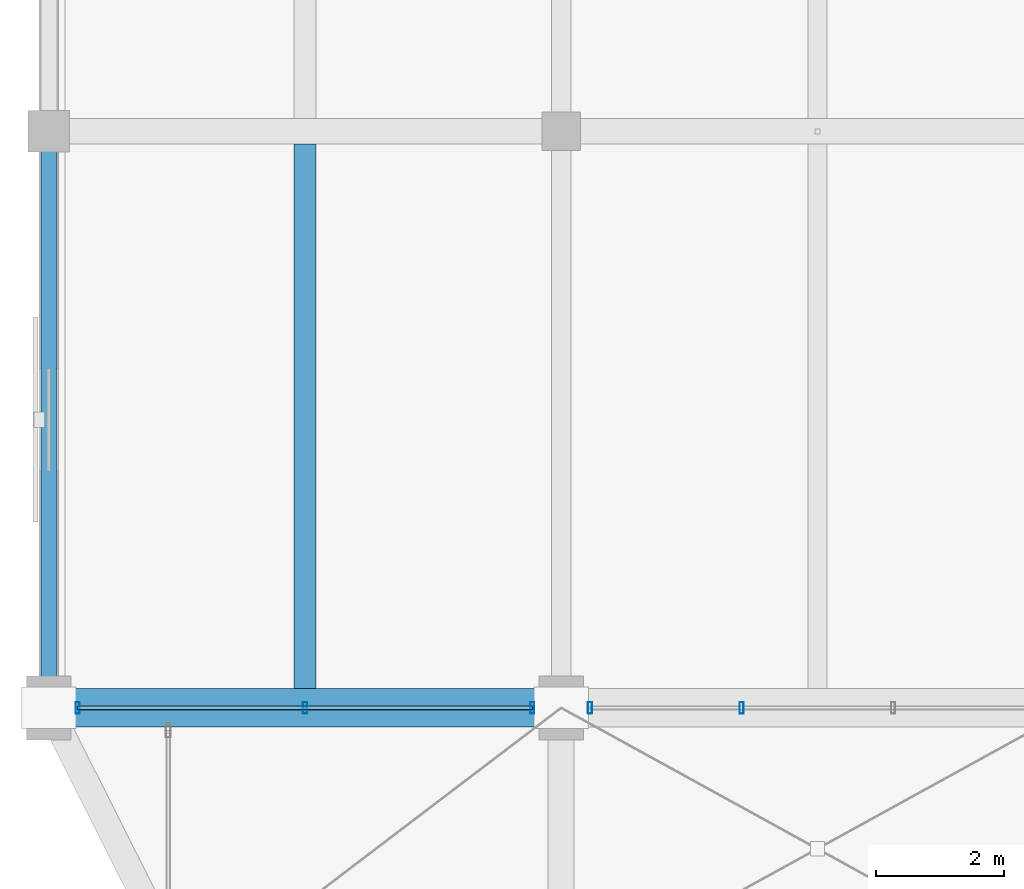
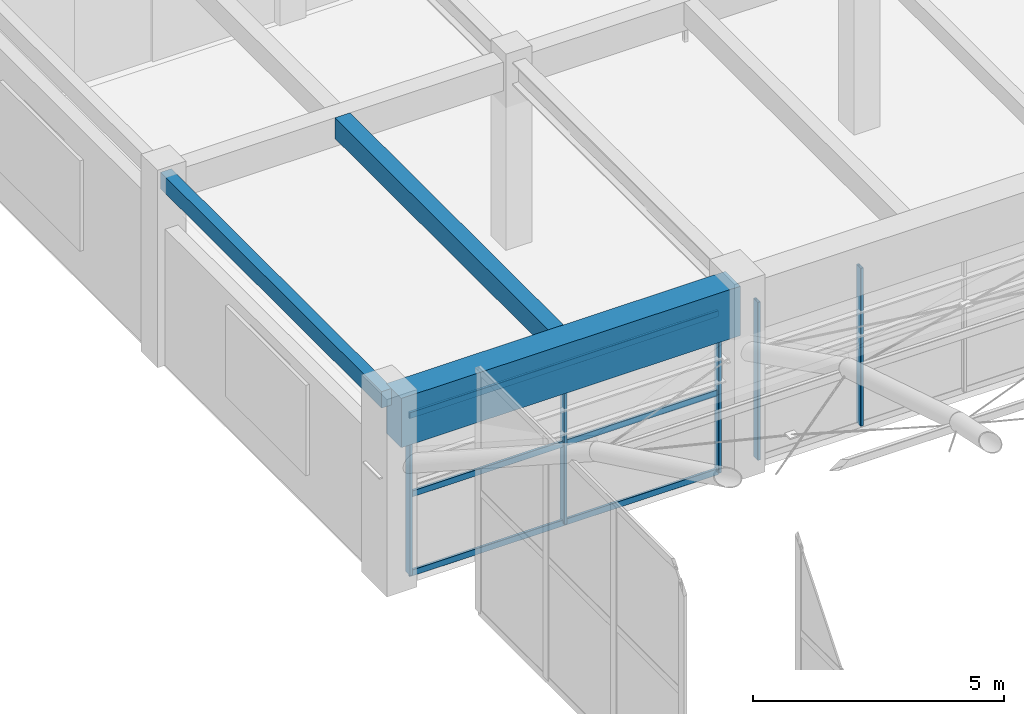
# One storey, part 34 of 144: 8 members, 3 beams, 2 elements without a shape of their own.
"""IFC4 building model written with IfcOpenShell, lengths in metres."""

from ifc_helpers import new_model, si_unit, direction, frame, origin, origin_2d, place, context, subcontext, project, spatial, rectangle, hollow_rectangle, extrude, material, material_profile, profile_set, type_object, element, aggregate, save


model = new_model("IFC4")

# Units and contexts
model_context = context("Model", 3, precision=1e-05, world=origin(), true_north=direction((0.0, 1.0)))
body_context = subcontext(model_context, "Body", "Model", "MODEL_VIEW")
ifc_project = project(units=[si_unit("LENGTHUNIT", "METRE"), si_unit("AREAUNIT", "SQUARE_METRE"), si_unit("VOLUMEUNIT", "CUBIC_METRE"), si_unit("PLANEANGLEUNIT", "RADIAN"), si_unit("MASSUNIT", "GRAM", prefix="KILO")], contexts=[model_context])

# Site, building, storey
site_placement = place(None, origin())
site = spatial("IfcSite", under=ifc_project, at=site_placement, CompositionType="ELEMENT")
building_placement = place(site_placement, origin())
building = spatial("IfcBuilding", under=site, at=building_placement, Name="Varnabhumi Central Station", CompositionType="ELEMENT")
storey_placement = place(building_placement, frame((0.0, 0.0, 4.800048828125)))
storey = spatial("IfcBuildingStorey", under=building, at=storey_placement, Name="L01", CompositionType="ELEMENT", Elevation=4.800048828125)

# Beams
ifc_material_1 = material(Name="Concrete M50", Category="concrete")
ifc_material_profile_1 = material_profile(ifc_material_1, rectangle(XDim=0.60009765625, YDim=1.199951171875, at=origin_2d()), Name="Concrete M50", Category="concrete")
ifc_profile_set_1 = profile_set([ifc_material_profile_1], Name="Concrete M50")
beam_type_1 = type_object("IfcBeamType", Name="BM-RC-1200x600", PredefinedType="BEAM", material=ifc_profile_set_1)
beam_1_placement = place(storey_placement, frame((0.10009765625, 80.0, 3.949951171875), z_axis=(1.0, 0.0, 0.0), x_axis=(0.0, 1.0, 0.0)))
element("IfcBeam", 1, at=beam_1_placement, inside=storey, type_object=beam_type_1, Name="Beam L01-K:1-2", PredefinedType="BEAM", context=body_context, shape_type="SweptSolid", body=[
    extrude(rectangle(XDim=0.60009765625, YDim=1.199951171875, at=origin_2d()), origin(), (0.0, 0.0, 1.0), 7.7998046875),
])
ifc_material_2 = material(Name="Concrete M35", Category="concrete")
ifc_material_profile_2 = material_profile(ifc_material_2, rectangle(XDim=0.25, YDim=0.39990234375, at=origin_2d()), Name="Concrete M35", Category="concrete")
ifc_profile_set_2 = profile_set([ifc_material_profile_2], Name="Concrete M35")
beam_type_2 = type_object("IfcBeamType", Name="BM-RC-250x400", PredefinedType="LINTEL", material=ifc_profile_set_2)
beam_2_placement = place(storey_placement, frame((0.0, 80.10009765625, 4.349853515625), z_axis=(0.0, 1.0, 0.0), x_axis=(-1.0, 0.0, 0.0)))
element("IfcBeam", 2, at=beam_2_placement, inside=storey, type_object=beam_type_2, Name="Beam L01-1:K-L", PredefinedType="LINTEL", context=body_context, shape_type="SweptSolid", body=[
    extrude(rectangle(XDim=0.25, YDim=0.39990234375, at=origin_2d()), origin(), (0.0, 0.0, 1.0), 8.7998046875),
])
ifc_material_3 = material(Name="Concrete M40", Category="concrete")
ifc_material_profile_3 = material_profile(ifc_material_3, rectangle(XDim=0.35009765625, YDim=0.5, at=origin_2d()), Name="Concrete M40", Category="concrete")
ifc_profile_set_3 = profile_set([ifc_material_profile_3], Name="Concrete M40")
beam_type_3 = type_object("IfcBeamType", Name="BM-RC-350x500", PredefinedType="JOIST", material=ifc_profile_set_3)
beam_3_placement = place(storey_placement, frame((4.0, 80.300048828125, 4.300048828125), z_axis=(0.0, 1.0, 0.0), x_axis=(-1.0, 0.0, 0.0)))
element("IfcBeam", 3, at=beam_3_placement, inside=storey, type_object=beam_type_3, Name="Secondary Joist L01-1/2:K-L", PredefinedType="JOIST", context=body_context, shape_type="SweptSolid", body=[
    extrude(rectangle(XDim=0.35009765625, YDim=0.5, at=origin_2d()), origin(), (0.0, 0.0, 1.0), 8.5),
])

# Curtain wall, members
ifc_material_4 = material(Name="Anodised aluminium 6063-T6", Category="aluminium")
curtain_wall_type_1 = type_object("IfcCurtainWallType", Name="CW-SPINE-SCREEN-L0", PredefinedType="NOTDEFINED", material=ifc_material_4)
curtain_wall_1_placement = place(storey_placement, origin())
curtain_wall_1 = element("IfcCurtainWall", 4, at=curtain_wall_1_placement, inside=storey, type_object=curtain_wall_type_1, Name="Curtain Wall CW-NS100", PredefinedType="NOTDEFINED")
ifc_material_profile_4 = material_profile(ifc_material_4, hollow_rectangle(XDim=0.06494140625, YDim=0.179931640625, WallThickness=0.00390625, InnerFilletRadius=0.001953125, OuterFilletRadius=0.006103515625, at=origin_2d()), Name="Anodised aluminium 6063-T6", Category="aluminium")
ifc_profile_set_4 = profile_set([ifc_material_profile_4], Name="Anodised aluminium 6063-T6")
member_type_1 = type_object("IfcMemberType", Name="CW-MUL-180", PredefinedType="MULLION", material=ifc_profile_set_4)
member_1_placement = place(storey_placement, frame((0.449951171875, 80.0, 0.0), z_axis=(0.0, 0.0, 1.0), x_axis=(1.0, 0.0, 0.0)))
member_1 = element("IfcMember", 5, at=member_1_placement, type_object=member_type_1, Name="Curtain Wall Mullion CW-NS100-M1", PredefinedType="MULLION", context=body_context, shape_type="SweptSolid", body=[
    extrude(hollow_rectangle(XDim=0.06494140625, YDim=0.179931640625, WallThickness=0.00390625, InnerFilletRadius=0.001953125, OuterFilletRadius=0.006103515625, at=origin_2d()), origin(), (0.0, 0.0, 1.0), 3.83984375),
])
member_2_placement = place(storey_placement, frame((4.0, 80.0, 0.0), z_axis=(0.0, 0.0, 1.0), x_axis=(1.0, 0.0, 0.0)))
member_2 = element("IfcMember", 6, at=member_2_placement, type_object=member_type_1, Name="Curtain Wall Mullion CW-NS100-M2", PredefinedType="MULLION", context=body_context, shape_type="SweptSolid", body=[
    extrude(hollow_rectangle(XDim=0.06494140625, YDim=0.179931640625, WallThickness=0.00390625, InnerFilletRadius=0.001953125, OuterFilletRadius=0.006103515625, at=origin_2d()), origin(), (0.0, 0.0, 1.0), 3.83984375),
])
member_3_placement = place(storey_placement, frame((7.550048828125, 80.0, 0.0), z_axis=(0.0, 0.0, 1.0), x_axis=(1.0, 0.0, 0.0)))
member_3 = element("IfcMember", 7, at=member_3_placement, type_object=member_type_1, Name="Curtain Wall Mullion CW-NS100-M3", PredefinedType="MULLION", context=body_context, shape_type="SweptSolid", body=[
    extrude(hollow_rectangle(XDim=0.06494140625, YDim=0.179931640625, WallThickness=0.00390625, InnerFilletRadius=0.001953125, OuterFilletRadius=0.006103515625, at=origin_2d()), origin(), (0.0, 0.0, 1.0), 3.83984375),
])

curtain_wall_type_2 = type_object("IfcCurtainWallType", Name="CW-STREET-PORTAL", PredefinedType="NOTDEFINED", material=ifc_material_4)
curtain_wall_2_placement = place(storey_placement, origin())
curtain_wall_2 = element("IfcCurtainWall", 8, at=curtain_wall_2_placement, inside=storey, type_object=curtain_wall_type_2, Name="Curtain Wall CW-NSP101", PredefinedType="NOTDEFINED")
member_4_placement = place(storey_placement, frame((8.449951171875, 80.0, 0.0), z_axis=(0.0, 0.0, 1.0), x_axis=(1.0, 0.0, 0.0)))
member_4 = element("IfcMember", 9, at=member_4_placement, type_object=member_type_1, Name="Curtain Wall Mullion CW-NSP101-M1", PredefinedType="MULLION", context=body_context, shape_type="SweptSolid", body=[
    extrude(hollow_rectangle(XDim=0.06494140625, YDim=0.179931640625, WallThickness=0.00390625, InnerFilletRadius=0.001953125, OuterFilletRadius=0.006103515625, at=origin_2d()), origin(), (0.0, 0.0, 1.0), 3.83984375),
])
member_5_placement = place(storey_placement, frame((10.816650390625, 80.0, 0.0), z_axis=(0.0, 0.0, 1.0), x_axis=(1.0, 0.0, 0.0)))
member_5 = element("IfcMember", 10, at=member_5_placement, type_object=member_type_1, Name="Curtain Wall Mullion CW-NSP101-M2", PredefinedType="MULLION", context=body_context, shape_type="SweptSolid", body=[
    extrude(hollow_rectangle(XDim=0.06494140625, YDim=0.179931640625, WallThickness=0.00390625, InnerFilletRadius=0.001953125, OuterFilletRadius=0.006103515625, at=origin_2d()), origin(), (0.0, 0.0, 1.0), 3.83984375),
])
aggregate(curtain_wall_2, [member_4, member_5])

# Member
ifc_material_profile_5 = material_profile(ifc_material_4, hollow_rectangle(XDim=0.06005859375, YDim=0.14990234375, WallThickness=0.00390625, InnerFilletRadius=0.001953125, OuterFilletRadius=0.006103515625, at=origin_2d()), Name="Anodised aluminium 6063-T6", Category="aluminium")
ifc_profile_set_5 = profile_set([ifc_material_profile_5], Name="Anodised aluminium 6063-T6")
member_type_2 = type_object("IfcMemberType", Name="CW-TR-150", PredefinedType="USERDEFINED", material=ifc_profile_set_5)
member_6_placement = place(storey_placement, frame((0.449951171875, 80.0, 0.0), z_axis=(1.0, 0.0, 0.0), x_axis=(0.0, 1.0, 0.0)))
member_6 = element("IfcMember", 11, at=member_6_placement, type_object=member_type_2, Name="Curtain Wall Transom CW-NS100-T1", ObjectType="TRANSOM", PredefinedType="USERDEFINED", context=body_context, shape_type="SweptSolid", body=[
    extrude(hollow_rectangle(XDim=0.06005859375, YDim=0.14990234375, WallThickness=0.00390625, InnerFilletRadius=0.001953125, OuterFilletRadius=0.006103515625, at=origin_2d()), origin(), (0.0, 0.0, 1.0), 7.10009765625),
])

member_7_placement = place(storey_placement, frame((0.449951171875, 80.0, 1.919921875), z_axis=(1.0, 0.0, 0.0), x_axis=(0.0, 1.0, 0.0)))
member_7 = element("IfcMember", 12, at=member_7_placement, type_object=member_type_2, Name="Curtain Wall Transom CW-NS100-T2", ObjectType="TRANSOM", PredefinedType="USERDEFINED", context=body_context, shape_type="SweptSolid", body=[
    extrude(hollow_rectangle(XDim=0.06005859375, YDim=0.14990234375, WallThickness=0.00390625, InnerFilletRadius=0.001953125, OuterFilletRadius=0.006103515625, at=origin_2d()), origin(), (0.0, 0.0, 1.0), 7.10009765625),
])

member_8_placement = place(storey_placement, frame((0.449951171875, 80.0, 3.83984375), z_axis=(1.0, 0.0, 0.0), x_axis=(0.0, 1.0, 0.0)))
member_8 = element("IfcMember", 13, at=member_8_placement, type_object=member_type_2, Name="Curtain Wall Transom CW-NS100-T3", ObjectType="TRANSOM", PredefinedType="USERDEFINED", context=body_context, shape_type="SweptSolid", body=[
    extrude(hollow_rectangle(XDim=0.06005859375, YDim=0.14990234375, WallThickness=0.00390625, InnerFilletRadius=0.001953125, OuterFilletRadius=0.006103515625, at=origin_2d()), origin(), (0.0, 0.0, 1.0), 7.10009765625),
])

aggregate(curtain_wall_1, [member_1, member_2, member_3, member_6, member_7, member_8])

save(model, "model.ifc")
